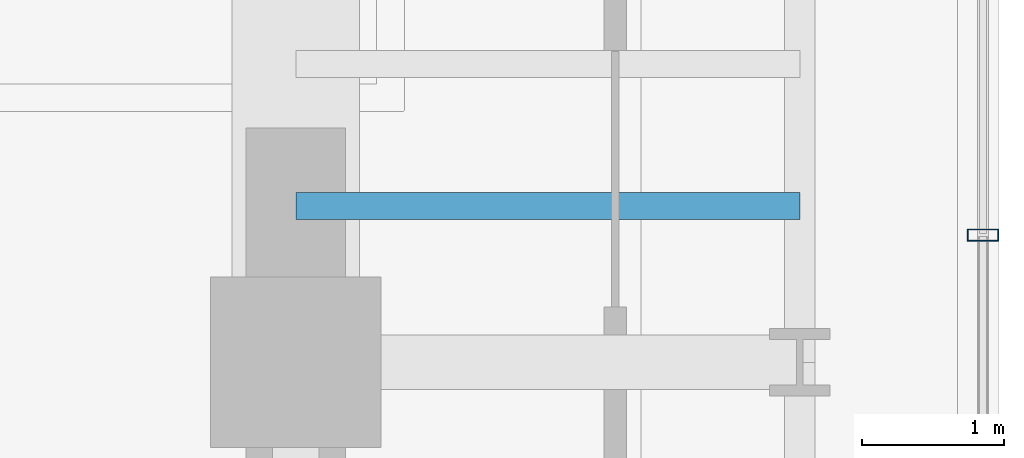
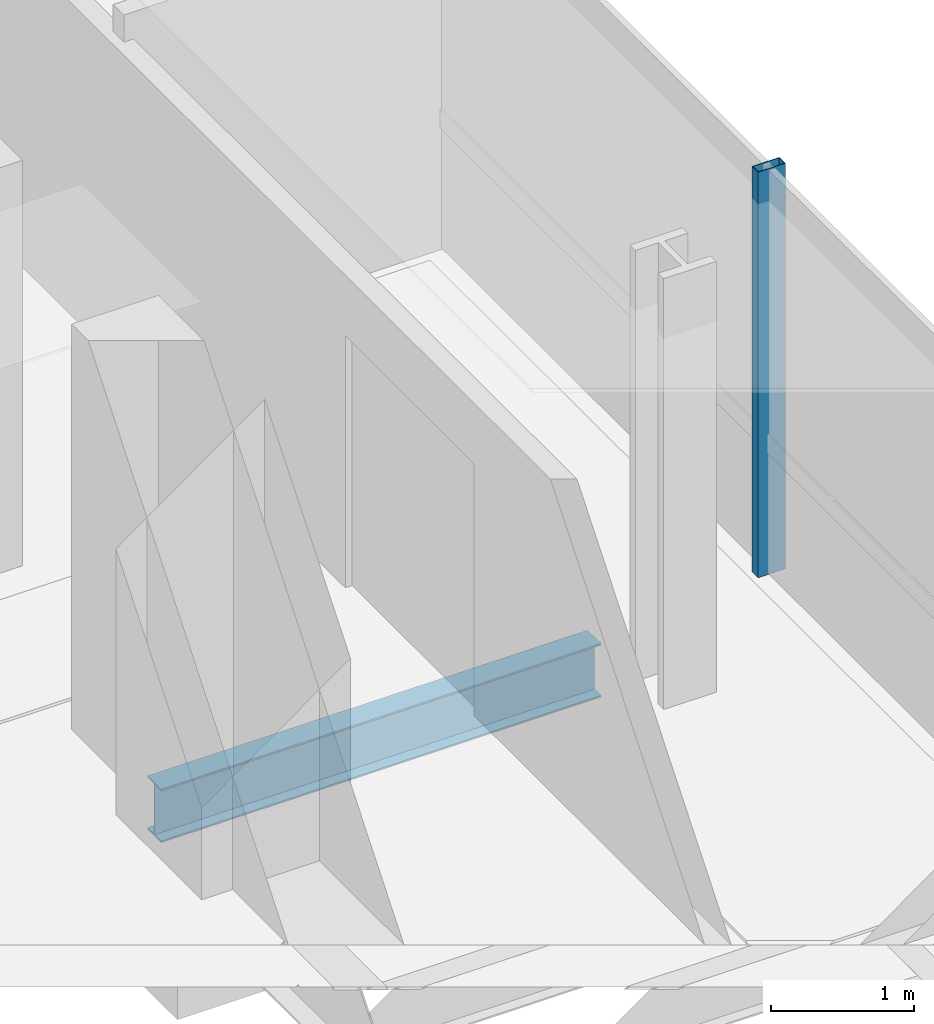
# One storey, part 12 of 35: 1 beam, 1 member, 1 element without a shape of its own.
"""IFC4 building model written with IfcOpenShell, lengths in metres."""

from ifc_helpers import new_model, si_unit, direction, frame, origin, origin_2d, place, context, subcontext, project, spatial, hollow_rectangle, i_section, extrude, source, transform, mapped, material, material_profile, profile_set, type_object, element, aggregate, save


model = new_model("IFC4")

# Units and contexts
model_context = context("Model", 3, precision=1e-05, world=origin(), true_north=direction((0.0, 1.0)))
body_context = subcontext(model_context, "Body", "Model", "MODEL_VIEW")
ifc_project = project(units=[si_unit("LENGTHUNIT", "METRE"), si_unit("AREAUNIT", "SQUARE_METRE"), si_unit("VOLUMEUNIT", "CUBIC_METRE"), si_unit("PLANEANGLEUNIT", "RADIAN"), si_unit("MASSUNIT", "GRAM", prefix="KILO")], contexts=[model_context])

# Site, building, storey
site_placement = place(None, origin())
site = spatial("IfcSite", under=ifc_project, at=site_placement, CompositionType="ELEMENT")
building_placement = place(site_placement, origin())
building = spatial("IfcBuilding", under=site, at=building_placement, Name="Valdorenza Pilgrim Sanctuary Tower", CompositionType="ELEMENT")
storey_placement = place(building_placement, frame((0.0, 0.0, 105.699951171875)))
storey = spatial("IfcBuildingStorey", under=building, at=storey_placement, Name="L26", CompositionType="ELEMENT", Elevation=105.699951171875)

# Beam
ifc_material_1 = material(Name="Steel ASTM A992 Grade 50", Category="steel")
ifc_material_profile_1 = material_profile(ifc_material_1, i_section(OverallWidth=0.19091796875, OverallDepth=0.45703125, WebThickness=0.009033203125, FlangeThickness=0.014404296875, at=origin_2d()), Name="W18X50")
ifc_profile_set_1 = profile_set([ifc_material_profile_1], Name="Steel ASTM A992 Grade 50")
beam_type = type_object("IfcBeamType", Name="STR-BM-JST-W18B", PredefinedType="JOIST", material=ifc_profile_set_1)
shared_shape_1 = source(origin(), body_context, "Body", "SweptSolid", [
    extrude(i_section(OverallWidth=0.19091796875, OverallDepth=0.45703125, WebThickness=0.009033203125, FlangeThickness=0.014404296875, at=origin_2d()), origin(), (0.0, 0.0, 1.0), 3.5498046875),
])
beam_placement = place(storey_placement, frame((24.85009765625, -1.5, -0.468505859375), z_axis=(1.0, 0.0, 0.0), x_axis=(0.0, 1.0, 0.0)))
element("IfcBeam", 1, at=beam_placement, inside=storey, type_object=beam_type, Name="L26 Composite Floor Joist JST-WB-8", PredefinedType="JOIST", context=body_context, shape_type="MappedRepresentation", body=[
    mapped(shared_shape_1, transform((0.0, 0.0, 0.0), x_axis=(1.0, 0.0, 0.0), y_axis=(0.0, 1.0, 0.0), z_axis=(0.0, 0.0, 1.0), scale=1.0)),
])

# Curtain wall, member
ifc_material_2 = material(Name="Curtain-wall IGU glazing", Category="glass")
curtain_wall_type = type_object("IfcCurtainWallType", Name="CW-SYS-03", PredefinedType="NOTDEFINED", material=ifc_material_2)
curtain_wall_placement = place(storey_placement, origin())
curtain_wall = element("IfcCurtainWall", 2, at=curtain_wall_placement, inside=storey, type_object=curtain_wall_type, Name="L26 Curtain Wall CW-L26-1-21", PredefinedType="NOTDEFINED")
ifc_material_3 = material(Name="Anodised aluminium AW-6060", Category="aluminium")
ifc_material_profile_2 = material_profile(ifc_material_3, hollow_rectangle(XDim=0.0849609375, YDim=0.219970703125, WallThickness=0.0048828125, at=origin_2d()), Name="ALU-M 220x85x5")
ifc_profile_set_2 = profile_set([ifc_material_profile_2], Name="Anodised aluminium AW-6060")
member_type = type_object("IfcMemberType", Name="CW-MUL-03", PredefinedType="MULLION", material=ifc_profile_set_2)
shared_shape_2 = source(origin(), body_context, "Body", "SweptSolid", [
    extrude(hollow_rectangle(XDim=0.0849609375, YDim=0.219970703125, WallThickness=0.0048828125, at=origin_2d()), origin(), (0.0, 0.0, 1.0), 3.4599609375),
])
member_placement = place(storey_placement, frame((29.68994140625, -1.7041015625, 0.0), z_axis=(0.0, 0.0, 1.0), x_axis=(0.0, -1.0, 0.0)))
member = element("IfcMember", 3, at=member_placement, type_object=member_type, Name="CW-L26-1-21 Mullion 3", PredefinedType="MULLION", context=body_context, shape_type="MappedRepresentation", body=[
    mapped(shared_shape_2, transform((0.0, 0.0, 0.0), x_axis=(1.0, 0.0, 0.0), y_axis=(0.0, 1.0, 0.0), z_axis=(0.0, 0.0, 1.0), scale=1.0)),
])
aggregate(curtain_wall, [member])

save(model, "model.ifc")
